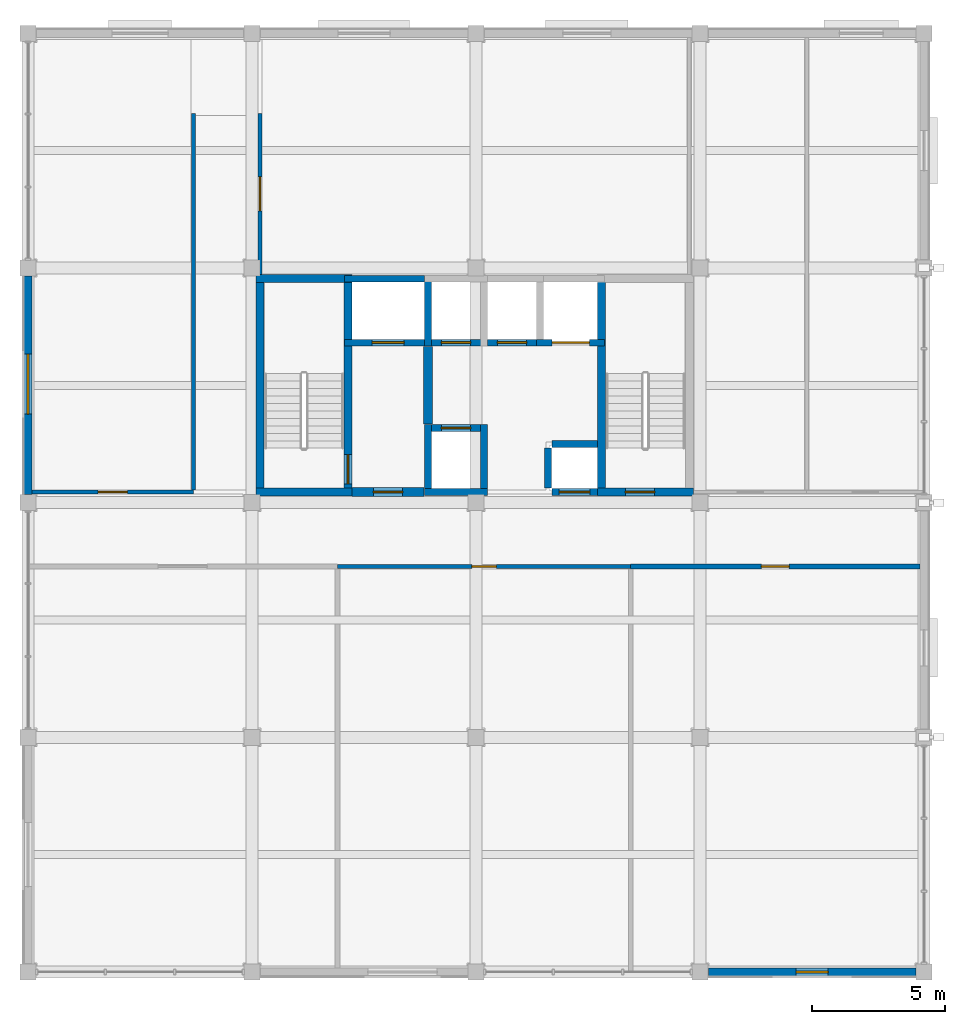
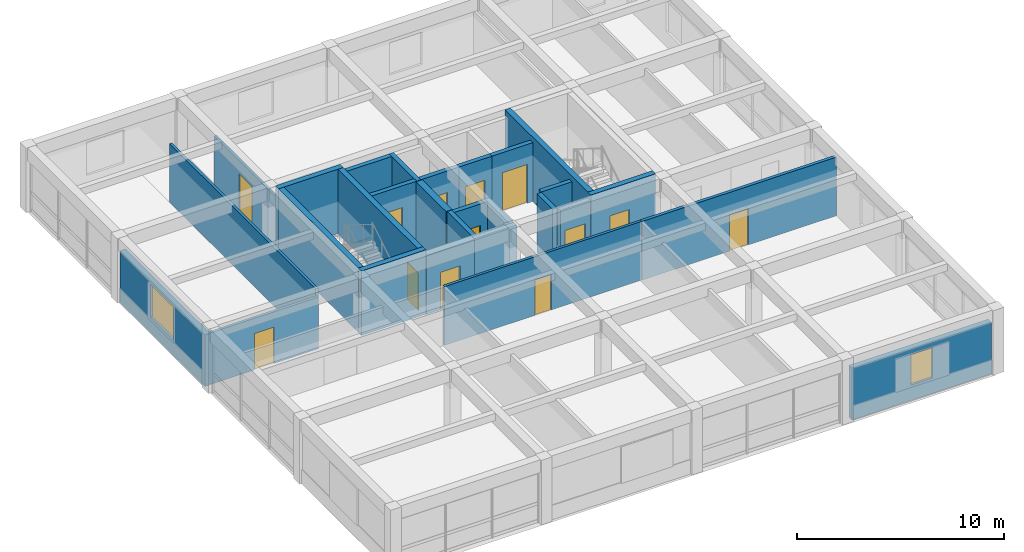
# One storey, part 7 of 12: 28 walls, 13 doors, 2 windows, 15 openings.
"""IFC4 building model written with IfcOpenShell, lengths in metres."""

from ifc_helpers import new_model, si_unit, direction, frame, frame_2d, origin, place, context, subcontext, project, spatial, rectangle, extrude, material, layer, layer_set, type_object, element, fill, save


model = new_model("IFC4")

# Units and contexts
model_context = context("Model", 3, precision=1e-05, world=origin(), true_north=direction((0.0, 1.0)))
body_context = subcontext(model_context, "Body", "Model", "MODEL_VIEW")
ifc_project = project(units=[si_unit("LENGTHUNIT", "METRE"), si_unit("AREAUNIT", "SQUARE_METRE"), si_unit("VOLUMEUNIT", "CUBIC_METRE"), si_unit("PLANEANGLEUNIT", "RADIAN"), si_unit("MASSUNIT", "GRAM", prefix="KILO")], contexts=[model_context])

# Site, building, storey
site_placement = place(None, origin())
site = spatial("IfcSite", under=ifc_project, at=site_placement, CompositionType="ELEMENT")
building_placement = place(site_placement, origin())
building = spatial("IfcBuilding", under=site, at=building_placement, Name="Kemercrest Conservatory and Botanical Centre", CompositionType="ELEMENT")
storey_placement = place(building_placement, frame((0.0, 0.0, 52.199951171875)))
storey = spatial("IfcBuildingStorey", under=building, at=storey_placement, Name="L13", CompositionType="ELEMENT", Elevation=52.199951171875)

# Wall
ifc_material_1 = material(Name="Concrete C50/60", Category="concrete")
ifc_layer_1 = layer(ifc_material_1, 0.35009765625)
ifc_layer_set_1 = layer_set([ifc_layer_1], Name="Concrete C50/60")
wall_type_1 = type_object("IfcWallType", Name="CW-CORE", PredefinedType="SHEAR", material=ifc_layer_set_1)
wall_1_placement = place(storey_placement, frame((157.39990234375, 107.75, 0.0), z_axis=(0.0, 0.0, 1.0), x_axis=(0.0, 1.0, 0.0)))
element("IfcWall", 1, at=wall_1_placement, inside=storey, type_object=wall_type_1, Name="Firefighting lift lobby 2-hour separation shear wall", PredefinedType="SHEAR", context=body_context, shape_type="SweptSolid", body=[
    extrude(rectangle(XDim=2.89990234375, YDim=0.35009765625, at=frame_2d((1.449951171875, 0.0))), origin(), (0.0, 0.0, 1.0), 3.47998046875),
])

# Wall, opening, door
wall_2_placement = place(storey_placement, frame((154.550048828125, 105.199951171875, 0.0), z_axis=(0.0, 0.0, 1.0), x_axis=(1.0, 0.0, 0.0)))
wall_2 = element("IfcWall", 2, at=wall_2_placement, inside=storey, type_object=wall_type_1, Name="Firefighting lift lobby south shear wall", PredefinedType="SHEAR", context=body_context, shape_type="SweptSolid", body=[
    extrude(rectangle(XDim=2.699951171875, YDim=0.35009765625, at=frame_2d((1.35009765625, 0.0))), origin(), (0.0, 0.0, 1.0), 3.47998046875),
])
opening_1_placement = place(wall_2_placement, frame((0.800048828125, 0.0, 0.0)))
opening_1 = element("IfcOpeningElement", 3, at=opening_1_placement, cuts=wall_2, Name="Opening D097", PredefinedType="OPENING", context=body_context, shape_type="SweptSolid", body=[
    extrude(rectangle(XDim=1.10009765625, YDim=2.199951171875, at=frame_2d((0.550048828125, 1.10009765625))), frame((0.0, 0.18505859375, 0.0), z_axis=(0.0, -1.0, 0.0), x_axis=(1.0, 0.0, 0.0)), (0.0, 0.0, 1.0), 0.3701171875),
])
ifc_material_2 = material(Name="Powder-coated galvanized steel and fire-rated vision glass", Category="steel")
door_type_1 = type_object("IfcDoorType", Name="DT-FD90", OperationType="NOTDEFINED", PredefinedType="DOOR", material=ifc_material_2)
door_1_placement = place(opening_1_placement, origin())
door_1 = element("IfcDoor", 4, at=door_1_placement, inside=storey, type_object=door_type_1, Name="Firefighting lift lobby corridor fire door D097", OperationType="SINGLE_SWING_LEFT", OverallHeight=2.199951171875, OverallWidth=1.10009765625, PredefinedType="DOOR", context=body_context, shape_type="SweptSolid", body=[
    extrude(rectangle(XDim=1.10009765625, YDim=2.199951171875, at=frame_2d((0.550048828125, 1.10009765625))), frame((0.0, 0.02490234375, 0.0), z_axis=(0.0, -1.0, 0.0), x_axis=(1.0, 0.0, 0.0)), (0.0, 0.0, 1.0), 0.050048828125),
])
fill(opening_1, door_1)

# Walls
ifc_layer_2 = layer(ifc_material_1, 0.300048828125)
ifc_layer_set_2 = layer_set([ifc_layer_2], Name="Concrete C50/60")
wall_type_2 = type_object("IfcWallType", Name="CW-STAIR", PredefinedType="SHEAR", material=ifc_layer_set_2)
for number, where, z_axis, x_axis, name in (
    (5, (150.949951171875, 105.199951171875, 0.0), (0.0, 0.0, 1.0), (1.0, 0.0, 0.0), "Stair core ST-V4A shear wall S"),
    (6, (150.949951171875, 113.199951171875, 0.0), (0.0, 0.0, 1.0), (1.0, 0.0, 0.0), "Stair core ST-V4A shear wall N"),
):
    element("IfcWall", number, at=place(storey_placement, frame(where, z_axis=z_axis, x_axis=x_axis)), inside=storey, type_object=wall_type_2, Name=name, PredefinedType="SHEAR", context=body_context, shape_type="SweptSolid", body=[
        extrude(rectangle(XDim=3.60009765625, YDim=0.300048828125, at=frame_2d((1.800048828125, 0.0))), origin(), (0.0, 0.0, 1.0), 3.800048828125),
    ])
wall_3_placement = place(storey_placement, frame((151.10009765625, 105.050048828125, 0.0), z_axis=(0.0, 0.0, 1.0), x_axis=(0.0, 1.0, 0.0)))
element("IfcWall", 7, at=wall_3_placement, inside=storey, type_object=wall_type_2, Name="Stair core ST-V4A shear wall W", PredefinedType="SHEAR", context=body_context, shape_type="SweptSolid", body=[
    extrude(rectangle(XDim=8.300048828125, YDim=0.300048828125, at=frame_2d((4.14990234375, 0.0))), origin(), (0.0, 0.0, 1.0), 3.800048828125),
])

# Wall, opening, door
wall_4_placement = place(storey_placement, frame((154.39990234375, 105.050048828125, 0.0), z_axis=(0.0, 0.0, 1.0), x_axis=(0.0, 1.0, 0.0)))
wall_4 = element("IfcWall", 8, at=wall_4_placement, inside=storey, type_object=wall_type_2, Name="Stair core ST-V4A shear wall E", PredefinedType="SHEAR", context=body_context, shape_type="SweptSolid", body=[
    extrude(rectangle(XDim=8.300048828125, YDim=0.300048828125, at=frame_2d((4.14990234375, 0.0))), origin(), (0.0, 0.0, 1.0), 3.800048828125),
])
opening_2_placement = place(wall_4_placement, frame((0.449951171875, 0.0, 0.0)))
opening_2 = element("IfcOpeningElement", 9, at=opening_2_placement, cuts=wall_4, Name="Opening D039", PredefinedType="OPENING", context=body_context, shape_type="SweptSolid", body=[
    extrude(rectangle(XDim=1.10009765625, YDim=2.199951171875, at=frame_2d((0.550048828125, 1.10009765625))), frame((0.0, 0.16015625, 0.0), z_axis=(0.0, -1.0, 0.0), x_axis=(1.0, 0.0, 0.0)), (0.0, 0.0, 1.0), 0.320068359375),
])
door_2_placement = place(opening_2_placement, frame((1.10009765625, 0.0, 0.0), z_axis=(0.0, 0.0, 1.0), x_axis=(-1.0, 0.0, 0.0)))
door_2 = element("IfcDoor", 10, at=door_2_placement, inside=storey, type_object=door_type_1, Name="Exit stair ST-V4A fire door D039", OperationType="SINGLE_SWING_LEFT", OverallHeight=2.199951171875, OverallWidth=1.10009765625, PredefinedType="DOOR", context=body_context, shape_type="SweptSolid", body=[
    extrude(rectangle(XDim=1.10009765625, YDim=2.199951171875, at=frame_2d((0.550048828125, 1.10009765625))), frame((0.0, 0.02490234375, 0.0), z_axis=(0.0, -1.0, 0.0), x_axis=(1.0, 0.0, 0.0)), (0.0, 0.0, 1.0), 0.050048828125),
])
fill(opening_2, door_2)

wall_5_placement = place(storey_placement, frame((163.75, 105.199951171875, 0.0), z_axis=(0.0, 0.0, 1.0), x_axis=(1.0, 0.0, 0.0)))
wall_5 = element("IfcWall", 11, at=wall_5_placement, inside=storey, type_object=wall_type_2, Name="Stair core ST-V4B shear wall S", PredefinedType="SHEAR", context=body_context, shape_type="SweptSolid", body=[
    extrude(rectangle(XDim=3.60009765625, YDim=0.300048828125, at=frame_2d((1.800048828125, 0.0))), origin(), (0.0, 0.0, 1.0), 3.800048828125),
])
opening_3_placement = place(wall_5_placement, frame((1.050048828125, 0.0, 0.0)))
opening_3 = element("IfcOpeningElement", 12, at=opening_3_placement, cuts=wall_5, Name="Opening D058", PredefinedType="OPENING", context=body_context, shape_type="SweptSolid", body=[
    extrude(rectangle(XDim=1.10009765625, YDim=2.199951171875, at=frame_2d((0.550048828125, 1.10009765625))), frame((0.0, 0.16015625, 0.0), z_axis=(0.0, -1.0, 0.0), x_axis=(1.0, 0.0, 0.0)), (0.0, 0.0, 1.0), 0.320068359375),
])
door_3_placement = place(opening_3_placement, origin())
door_3 = element("IfcDoor", 13, at=door_3_placement, inside=storey, type_object=door_type_1, Name="Exit stair ST-V4B fire door D058", OperationType="SINGLE_SWING_RIGHT", OverallHeight=2.199951171875, OverallWidth=1.10009765625, PredefinedType="DOOR", context=body_context, shape_type="SweptSolid", body=[
    extrude(rectangle(XDim=1.10009765625, YDim=2.199951171875, at=frame_2d((0.550048828125, 1.10009765625))), frame((0.0, 0.02490234375, 0.0), z_axis=(0.0, -1.0, 0.0), x_axis=(1.0, 0.0, 0.0)), (0.0, 0.0, 1.0), 0.050048828125),
])
fill(opening_3, door_3)

# Wall
wall_6_placement = place(storey_placement, frame((163.89990234375, 105.050048828125, 0.0), z_axis=(0.0, 0.0, 1.0), x_axis=(0.0, 1.0, 0.0)))
element("IfcWall", 14, at=wall_6_placement, inside=storey, type_object=wall_type_2, Name="Stair core ST-V4B shear wall W", PredefinedType="SHEAR", context=body_context, shape_type="SweptSolid", body=[
    extrude(rectangle(XDim=8.300048828125, YDim=0.300048828125, at=frame_2d((4.14990234375, 0.0))), origin(), (0.0, 0.0, 1.0), 3.800048828125),
])

# Wall, opening, window
ifc_material_3 = material(Name="Precast concrete C40/50", Category="concrete")
ifc_layer_3 = layer(ifc_material_3, 0.300048828125)
ifc_layer_set_3 = layer_set([ifc_layer_3], Name="Precast concrete C40/50")
wall_type_3 = type_object("IfcWallType", Name="W-EXT300", PredefinedType="SOLIDWALL", material=ifc_layer_set_3)
wall_7_placement = place(storey_placement, frame((167.909912109375, 87.199951171875, 0.0), z_axis=(0.0, 0.0, 1.0), x_axis=(1.0, 0.0, 0.0)))
wall_7 = element("IfcWall", 15, at=wall_7_placement, inside=storey, type_object=wall_type_3, Name="Exterior almasik wall W-EXT300 (WAL:L13:EXT-324)", PredefinedType="SOLIDWALL", context=body_context, shape_type="SweptSolid", body=[
    extrude(rectangle(XDim=7.780029296875, YDim=0.300048828125, at=frame_2d((3.89013671875, 0.0))), origin(), (0.0, 0.0, 1.0), 3.050048828125),
])
opening_4_placement = place(wall_7_placement, frame((3.2900390625, 0.0, 0.89990234375)))
opening_4 = element("IfcOpeningElement", 16, at=opening_4_placement, cuts=wall_7, Name="Opening WT-01", PredefinedType="OPENING", context=body_context, shape_type="SweptSolid", body=[
    extrude(rectangle(XDim=1.199951171875, YDim=1.800048828125, at=frame_2d((0.60009765625, 0.89990234375))), frame((0.0, 0.16015625, 0.0), z_axis=(0.0, -1.0, 0.0), x_axis=(1.0, 0.0, 0.0)), (0.0, 0.0, 1.0), 0.320068359375),
])
ifc_material_4 = material(Name="Thermally broken bronze-anodized aluminium and triple glazing", Category="aluminium")
window_type_1 = type_object("IfcWindowType", Name="WT-01", PartitioningType="SINGLE_PANEL", PredefinedType="WINDOW", material=ifc_material_4)
window_1_placement = place(opening_4_placement, origin())
window_1 = element("IfcWindow", 17, at=window_1_placement, inside=storey, type_object=window_type_1, Name="Exterior window WT-01 (WIN:L13:EXT-324)", OverallHeight=1.800048828125, OverallWidth=1.199951171875, PartitioningType="SINGLE_PANEL", PredefinedType="WINDOW", context=body_context, shape_type="SweptSolid", body=[
    extrude(rectangle(XDim=1.199951171875, YDim=1.800048828125, at=frame_2d((0.60009765625, 0.89990234375))), frame((0.0, 0.030029296875, 0.0), z_axis=(0.0, -1.0, 0.0), x_axis=(1.0, 0.0, 0.0)), (0.0, 0.0, 1.0), 0.06005859375),
])
fill(opening_4, window_1)

wall_8_placement = place(storey_placement, frame((142.39990234375, 113.2900390625, 0.0), z_axis=(0.0, 0.0, 1.0), x_axis=(0.0, -1.0, 0.0)))
wall_8 = element("IfcWall", 18, at=wall_8_placement, inside=storey, type_object=wall_type_3, Name="Exterior almasik wall W-EXT300 (WAL:L13:EXT-331)", PredefinedType="SOLIDWALL", context=body_context, shape_type="SweptSolid", body=[
    extrude(rectangle(XDim=8.179931640625, YDim=0.300048828125, at=frame_2d((4.08984375, 0.0))), origin(), (0.0, 0.0, 1.0), 3.050048828125),
])
opening_5_placement = place(wall_8_placement, frame((2.919921875, 0.0, 0.89990234375)))
opening_5 = element("IfcOpeningElement", 19, at=opening_5_placement, cuts=wall_8, Name="Opening WT-08", PredefinedType="OPENING", context=body_context, shape_type="SweptSolid", body=[
    extrude(rectangle(XDim=2.25, YDim=1.949951171875, at=frame_2d((1.125, 0.97509765625))), frame((0.0, 0.16015625, 0.0), z_axis=(0.0, -1.0, 0.0), x_axis=(1.0, 0.0, 0.0)), (0.0, 0.0, 1.0), 0.320068359375),
])
window_type_2 = type_object("IfcWindowType", Name="WT-08", PartitioningType="SINGLE_PANEL", PredefinedType="WINDOW", material=ifc_material_4)
window_2_placement = place(opening_5_placement, origin())
window_2 = element("IfcWindow", 20, at=window_2_placement, inside=storey, type_object=window_type_2, Name="Exterior window WT-08 (WIN:L13:EXT-331)", OverallHeight=1.949951171875, OverallWidth=2.25, PartitioningType="SINGLE_PANEL", PredefinedType="WINDOW", context=body_context, shape_type="SweptSolid", body=[
    extrude(rectangle(XDim=2.25, YDim=1.949951171875, at=frame_2d((1.125, 0.97509765625))), frame((0.0, 0.030029296875, 0.0), z_axis=(0.0, -1.0, 0.0), x_axis=(1.0, 0.0, 0.0)), (0.0, 0.0, 1.0), 0.06005859375),
])
fill(opening_5, window_2)

# Wall, opening, door
ifc_material_5 = material(Name="Steel-stud gypsum board partition", Category="steel")
ifc_layer_4 = layer(ifc_material_5, 0.14990234375)
ifc_layer_set_4 = layer_set([ifc_layer_4], Name="Steel-stud gypsum board partition")
wall_type_4 = type_object("IfcWallType", Name="W-PART150", PredefinedType="PARTITIONING", material=ifc_layer_set_4)
wall_9_placement = place(storey_placement, frame((154.0, 102.39990234375, 0.0), z_axis=(0.0, 0.0, 1.0), x_axis=(1.0, 0.0, 0.0)))
wall_9 = element("IfcWall", 21, at=wall_9_placement, inside=storey, type_object=wall_type_4, Name="Interior partition W-PART150 #279", PredefinedType="PARTITIONING", context=body_context, shape_type="SweptSolid", body=[
    extrude(rectangle(XDim=11.0, YDim=0.14990234375, at=frame_2d((5.5, 0.0))), origin(), (0.0, 0.0, 1.0), 3.465087890625),
])
opening_6_placement = place(wall_9_placement, frame((5.0400390625, 0.0, 0.0)))
opening_6 = element("IfcOpeningElement", 22, at=opening_6_placement, cuts=wall_9, Name="Opening D264", PredefinedType="OPENING", context=body_context, shape_type="SweptSolid", body=[
    extrude(rectangle(XDim=0.919921875, YDim=2.10009765625, at=frame_2d((0.4599609375, 1.050048828125))), frame((0.0, 0.0849609375, 0.0), z_axis=(0.0, -1.0, 0.0), x_axis=(1.0, 0.0, 0.0)), (0.0, 0.0, 1.0), 0.169921875),
])
ifc_material_6 = material(Name="FSC solid-core white oak veneer and anodized aluminium frame", Category="aluminium")
door_type_2 = type_object("IfcDoorType", Name="DT-01", OperationType="NOTDEFINED", PredefinedType="DOOR", material=ifc_material_6)
door_4_placement = place(opening_6_placement, origin())
door_4 = element("IfcDoor", 23, at=door_4_placement, inside=storey, type_object=door_type_2, Name="Alpine Ecology Studio door D264", OperationType="SINGLE_SWING_RIGHT", OverallHeight=2.10009765625, OverallWidth=0.919921875, PredefinedType="DOOR", context=body_context, shape_type="SweptSolid", body=[
    extrude(rectangle(XDim=0.919921875, YDim=2.10009765625, at=frame_2d((0.4599609375, 1.050048828125))), frame((0.0, 0.02490234375, 0.0), z_axis=(0.0, -1.0, 0.0), x_axis=(1.0, 0.0, 0.0)), (0.0, 0.0, 1.0), 0.050048828125),
])
fill(opening_6, door_4)

wall_10_placement = place(storey_placement, frame((142.554931640625, 105.199951171875, 0.0), z_axis=(0.0, 0.0, 1.0), x_axis=(1.0, 0.0, 0.0)))
wall_10 = element("IfcWall", 24, at=wall_10_placement, inside=storey, type_object=wall_type_4, Name="Interior partition W-PART150 #281", PredefinedType="PARTITIONING", context=body_context, shape_type="SweptSolid", body=[
    extrude(rectangle(XDim=6.045166015625, YDim=0.14990234375, at=frame_2d((3.0224609375, 0.0))), origin(), (0.0, 0.0, 1.0), 3.045166015625),
])
opening_7_placement = place(wall_10_placement, frame((2.472412109375, 0.0, 0.0)))
opening_7 = element("IfcOpeningElement", 25, at=opening_7_placement, cuts=wall_10, Name="Opening D266", PredefinedType="OPENING", context=body_context, shape_type="SweptSolid", body=[
    extrude(rectangle(XDim=1.10009765625, YDim=2.14990234375, at=frame_2d((0.550048828125, 1.074951171875))), frame((0.0, 0.0849609375, 0.0), z_axis=(0.0, -1.0, 0.0), x_axis=(1.0, 0.0, 0.0)), (0.0, 0.0, 1.0), 0.169921875),
])
door_type_3 = type_object("IfcDoorType", Name="DT-04", OperationType="NOTDEFINED", PredefinedType="DOOR", material=ifc_material_6)
door_5_placement = place(opening_7_placement, origin())
door_5 = element("IfcDoor", 26, at=door_5_placement, inside=storey, type_object=door_type_3, Name="Visiting Fellow Office door D266", OperationType="SINGLE_SWING_RIGHT", OverallHeight=2.14990234375, OverallWidth=1.10009765625, PredefinedType="DOOR", context=body_context, shape_type="SweptSolid", body=[
    extrude(rectangle(XDim=1.10009765625, YDim=2.14990234375, at=frame_2d((0.550048828125, 1.074951171875))), frame((0.0, 0.02490234375, 0.0), z_axis=(0.0, -1.0, 0.0), x_axis=(1.0, 0.0, 0.0)), (0.0, 0.0, 1.0), 0.050048828125),
])
fill(opening_7, door_5)

# Wall
wall_11_placement = place(storey_placement, frame((148.60009765625, 105.280029296875, 0.0), z_axis=(0.0, 0.0, 1.0), x_axis=(0.0, 1.0, 0.0)))
element("IfcWall", 27, at=wall_11_placement, inside=storey, type_object=wall_type_4, Name="Interior partition W-PART150 #284", PredefinedType="PARTITIONING", context=body_context, shape_type="SweptSolid", body=[
    extrude(rectangle(XDim=14.119873046875, YDim=0.14990234375, at=frame_2d((7.06005859375, 0.0))), origin(), (0.0, 0.0, 1.0), 3.465087890625),
])

# Wall, opening, door
wall_12_placement = place(storey_placement, frame((151.10009765625, 113.35498046875, 0.0), z_axis=(0.0, 0.0, 1.0), x_axis=(0.0, 1.0, 0.0)))
wall_12 = element("IfcWall", 28, at=wall_12_placement, inside=storey, type_object=wall_type_4, Name="Interior partition W-PART150 #285", PredefinedType="PARTITIONING", context=body_context, shape_type="SweptSolid", body=[
    extrude(rectangle(XDim=6.044921875, YDim=0.14990234375, at=frame_2d((3.0224609375, 0.0))), origin(), (0.0, 0.0, 1.0), 3.045166015625),
])
opening_8_placement = place(wall_12_placement, frame((2.382568359375, 0.0, 0.0)))
opening_8 = element("IfcOpeningElement", 29, at=opening_8_placement, cuts=wall_12, Name="Opening D269", PredefinedType="OPENING", context=body_context, shape_type="SweptSolid", body=[
    extrude(rectangle(XDim=1.280029296875, YDim=2.25, at=frame_2d((0.64013671875, 1.125))), frame((0.0, 0.0849609375, 0.0), z_axis=(0.0, -1.0, 0.0), x_axis=(1.0, 0.0, 0.0)), (0.0, 0.0, 1.0), 0.169921875),
])
door_type_4 = type_object("IfcDoorType", Name="DT-07", OperationType="NOTDEFINED", PredefinedType="DOOR", material=ifc_material_6)
door_6_placement = place(opening_8_placement, origin())
door_6 = element("IfcDoor", 30, at=door_6_placement, inside=storey, type_object=door_type_4, Name="Botanical Archive Reading Studio door D269", OperationType="SINGLE_SWING_LEFT", OverallHeight=2.25, OverallWidth=1.280029296875, PredefinedType="DOOR", context=body_context, shape_type="SweptSolid", body=[
    extrude(rectangle(XDim=1.280029296875, YDim=2.25, at=frame_2d((0.64013671875, 1.125))), frame((0.0, 0.02490234375, 0.0), z_axis=(0.0, -1.0, 0.0), x_axis=(1.0, 0.0, 0.0)), (0.0, 0.0, 1.0), 0.050048828125),
])
fill(opening_8, door_6)

ifc_material_7 = material(Name="Acoustic steel-stud gypsum board assembly", Category="steel")
ifc_layer_5 = layer(ifc_material_7, 0.179931640625)
ifc_layer_set_5 = layer_set([ifc_layer_5], Name="Acoustic steel-stud gypsum board assembly")
wall_type_5 = type_object("IfcWallType", Name="W-PART180", PredefinedType="PARTITIONING", material=ifc_layer_set_5)
wall_13_placement = place(storey_placement, frame((165.0, 102.39990234375, 0.0), z_axis=(0.0, 0.0, 1.0), x_axis=(1.0, 0.0, 0.0)))
wall_13 = element("IfcWall", 31, at=wall_13_placement, inside=storey, type_object=wall_type_5, Name="Interior partition W-PART180 #280", PredefinedType="PARTITIONING", context=body_context, shape_type="SweptSolid", body=[
    extrude(rectangle(XDim=10.844970703125, YDim=0.179931640625, at=frame_2d((5.42236328125, 0.0))), origin(), (0.0, 0.0, 1.0), 3.465087890625),
])
opening_9_placement = place(wall_13_placement, frame((4.902587890625, 0.0, 0.0)))
opening_9 = element("IfcOpeningElement", 32, at=opening_9_placement, cuts=wall_13, Name="Opening D265", PredefinedType="OPENING", context=body_context, shape_type="SweptSolid", body=[
    extrude(rectangle(XDim=1.0400390625, YDim=2.14990234375, at=frame_2d((0.52001953125, 1.074951171875))), frame((0.0, 0.10009765625, 0.0), z_axis=(0.0, -1.0, 0.0), x_axis=(1.0, 0.0, 0.0)), (0.0, 0.0, 1.0), 0.199951171875),
])
door_type_5 = type_object("IfcDoorType", Name="DT-03", OperationType="NOTDEFINED", PredefinedType="DOOR", material=ifc_material_6)
door_7_placement = place(opening_9_placement, origin())
door_7 = element("IfcDoor", 33, at=door_7_placement, inside=storey, type_object=door_type_5, Name="GIS Mapping Laboratory door D265", OperationType="SINGLE_SWING_LEFT", OverallHeight=2.14990234375, OverallWidth=1.0400390625, PredefinedType="DOOR", context=body_context, shape_type="SweptSolid", body=[
    extrude(rectangle(XDim=1.0400390625, YDim=2.14990234375, at=frame_2d((0.52001953125, 1.074951171875))), frame((0.0, 0.02490234375, 0.0), z_axis=(0.0, -1.0, 0.0), x_axis=(1.0, 0.0, 0.0)), (0.0, 0.0, 1.0), 0.050048828125),
])
fill(opening_9, door_7)

ifc_material_8 = material(Name="Concrete C40/50", Category="concrete")
ifc_layer_6 = layer(ifc_material_8, 0.25)
ifc_layer_set_6 = layer_set([ifc_layer_6], Name="Concrete C40/50")
wall_type_6 = type_object("IfcWallType", Name="W-SHFT250", PredefinedType="SOLIDWALL", material=ifc_layer_set_6)
wall_14_placement = place(storey_placement, frame((154.27490234375, 110.800048828125, 0.0), z_axis=(0.0, 0.0, 1.0), x_axis=(1.0, 0.0, 0.0)))
wall_14 = element("IfcWall", 34, at=wall_14_placement, inside=storey, type_object=wall_type_6, Name="Elevator LF-FF1 shaft wall south", PredefinedType="SOLIDWALL", context=body_context, shape_type="SweptSolid", body=[
    extrude(rectangle(XDim=3.25, YDim=0.25, at=frame_2d((1.625, 0.0))), origin(), (0.0, 0.0, 1.0), 3.47998046875),
])
opening_10_placement = place(wall_14_placement, frame((1.02490234375, 0.0, 0.0)))
opening_10 = element("IfcOpeningElement", 35, at=opening_10_placement, cuts=wall_14, Name="Opening LD-015", PredefinedType="OPENING", context=body_context, shape_type="SweptSolid", body=[
    extrude(rectangle(XDim=1.199951171875, YDim=2.199951171875, at=frame_2d((0.60009765625, 1.10009765625))), frame((0.0, 0.135009765625, 0.0), z_axis=(0.0, -1.0, 0.0), x_axis=(1.0, 0.0, 0.0)), (0.0, 0.0, 1.0), 0.27001953125),
])
door_type_6 = type_object("IfcDoorType", Name="DT-LD02", OperationType="SLIDING_TO_LEFT", PredefinedType="DOOR", material=ifc_material_2)
door_8_placement = place(opening_10_placement, origin())
door_8 = element("IfcDoor", 36, at=door_8_placement, inside=storey, type_object=door_type_6, Name="Elevator LF-FF1 sliding landing door LD-015", OperationType="SLIDING_TO_LEFT", OverallHeight=2.199951171875, OverallWidth=1.199951171875, PredefinedType="DOOR", context=body_context, shape_type="SweptSolid", body=[
    extrude(rectangle(XDim=1.199951171875, YDim=2.199951171875, at=frame_2d((0.60009765625, 1.10009765625))), frame((0.0, 0.02490234375, 0.0), z_axis=(0.0, -1.0, 0.0), x_axis=(1.0, 0.0, 0.0)), (0.0, 0.0, 1.0), 0.050048828125),
])
fill(opening_10, door_8)

# Walls
wall_15_placement = place(storey_placement, frame((154.27490234375, 113.199951171875, 0.0), z_axis=(0.0, 0.0, 1.0), x_axis=(1.0, 0.0, 0.0)))
element("IfcWall", 37, at=wall_15_placement, inside=storey, type_object=wall_type_6, Name="Elevator LF-FF1 shaft wall north", PredefinedType="SOLIDWALL", context=body_context, shape_type="SweptSolid", body=[
    extrude(rectangle(XDim=3.25, YDim=0.25, at=frame_2d((1.625, 0.0))), origin(), (0.0, 0.0, 1.0), 3.47998046875),
])
wall_16_placement = place(storey_placement, frame((157.39990234375, 110.675048828125, 0.0), z_axis=(0.0, 0.0, 1.0), x_axis=(0.0, 1.0, 0.0)))
element("IfcWall", 38, at=wall_16_placement, inside=storey, type_object=wall_type_6, Name="Elevator LF-FF1 shaft wall east", PredefinedType="SOLIDWALL", context=body_context, shape_type="SweptSolid", body=[
    extrude(rectangle(XDim=2.64990234375, YDim=0.25, at=frame_2d((1.324951171875, 0.0))), origin(), (0.0, 0.0, 1.0), 3.47998046875),
])

# Wall, opening, door
wall_17_placement = place(storey_placement, frame((157.27490234375, 110.800048828125, 0.0), z_axis=(0.0, 0.0, 1.0), x_axis=(1.0, 0.0, 0.0)))
wall_17 = element("IfcWall", 39, at=wall_17_placement, inside=storey, type_object=wall_type_6, Name="Elevator LF-P1 shaft wall south", PredefinedType="SOLIDWALL", context=body_context, shape_type="SweptSolid", body=[
    extrude(rectangle(XDim=2.35009765625, YDim=0.25, at=frame_2d((1.175048828125, 0.0))), origin(), (0.0, 0.0, 1.0), 3.47998046875),
])
opening_11_placement = place(wall_17_placement, frame((0.625, 0.0, 0.0)))
opening_11 = element("IfcOpeningElement", 40, at=opening_11_placement, cuts=wall_17, Name="Opening LD-034", PredefinedType="OPENING", context=body_context, shape_type="SweptSolid", body=[
    extrude(rectangle(XDim=1.10009765625, YDim=2.199951171875, at=frame_2d((0.550048828125, 1.10009765625))), frame((0.0, 0.135009765625, 0.0), z_axis=(0.0, -1.0, 0.0), x_axis=(1.0, 0.0, 0.0)), (0.0, 0.0, 1.0), 0.27001953125),
])
door_type_7 = type_object("IfcDoorType", Name="DT-LD01", OperationType="SLIDING_TO_LEFT", PredefinedType="DOOR", material=ifc_material_2)
door_9_placement = place(opening_11_placement, origin())
door_9 = element("IfcDoor", 41, at=door_9_placement, inside=storey, type_object=door_type_7, Name="Elevator LF-P1 sliding landing door LD-034", OperationType="SLIDING_TO_LEFT", OverallHeight=2.199951171875, OverallWidth=1.10009765625, PredefinedType="DOOR", context=body_context, shape_type="SweptSolid", body=[
    extrude(rectangle(XDim=1.10009765625, YDim=2.199951171875, at=frame_2d((0.550048828125, 1.10009765625))), frame((0.0, 0.02490234375, 0.0), z_axis=(0.0, -1.0, 0.0), x_axis=(1.0, 0.0, 0.0)), (0.0, 0.0, 1.0), 0.050048828125),
])
fill(opening_11, door_9)

wall_18_placement = place(storey_placement, frame((159.375, 110.800048828125, 0.0), z_axis=(0.0, 0.0, 1.0), x_axis=(1.0, 0.0, 0.0)))
wall_18 = element("IfcWall", 42, at=wall_18_placement, inside=storey, type_object=wall_type_6, Name="Elevator LF-P2 shaft wall south", PredefinedType="SOLIDWALL", context=body_context, shape_type="SweptSolid", body=[
    extrude(rectangle(XDim=2.35009765625, YDim=0.25, at=frame_2d((1.175048828125, 0.0))), origin(), (0.0, 0.0, 1.0), 3.47998046875),
])
opening_12_placement = place(wall_18_placement, frame((0.625, 0.0, 0.0)))
opening_12 = element("IfcOpeningElement", 43, at=opening_12_placement, cuts=wall_18, Name="Opening LD-053", PredefinedType="OPENING", context=body_context, shape_type="SweptSolid", body=[
    extrude(rectangle(XDim=1.10009765625, YDim=2.199951171875, at=frame_2d((0.550048828125, 1.10009765625))), frame((0.0, 0.135009765625, 0.0), z_axis=(0.0, -1.0, 0.0), x_axis=(1.0, 0.0, 0.0)), (0.0, 0.0, 1.0), 0.27001953125),
])
door_10_placement = place(opening_12_placement, origin())
door_10 = element("IfcDoor", 44, at=door_10_placement, inside=storey, type_object=door_type_7, Name="Elevator LF-P2 sliding landing door LD-053", OperationType="SLIDING_TO_LEFT", OverallHeight=2.199951171875, OverallWidth=1.10009765625, PredefinedType="DOOR", context=body_context, shape_type="SweptSolid", body=[
    extrude(rectangle(XDim=1.10009765625, YDim=2.199951171875, at=frame_2d((0.550048828125, 1.10009765625))), frame((0.0, 0.02490234375, 0.0), z_axis=(0.0, -1.0, 0.0), x_axis=(1.0, 0.0, 0.0)), (0.0, 0.0, 1.0), 0.050048828125),
])
fill(opening_12, door_10)

# Wall
wall_19_placement = place(storey_placement, frame((157.27490234375, 105.199951171875, 0.0), z_axis=(0.0, 0.0, 1.0), x_axis=(1.0, 0.0, 0.0)))
element("IfcWall", 45, at=wall_19_placement, inside=storey, type_object=wall_type_6, Name="Elevator LF-P3 shaft wall south", PredefinedType="SOLIDWALL", context=body_context, shape_type="SweptSolid", body=[
    extrude(rectangle(XDim=2.35009765625, YDim=0.25, at=frame_2d((1.175048828125, 0.0))), origin(), (0.0, 0.0, 1.0), 3.47998046875),
])

# Wall, opening, door
wall_20_placement = place(storey_placement, frame((157.27490234375, 107.60009765625, 0.0), z_axis=(0.0, 0.0, 1.0), x_axis=(1.0, 0.0, 0.0)))
wall_20 = element("IfcWall", 46, at=wall_20_placement, inside=storey, type_object=wall_type_6, Name="Elevator LF-P3 shaft wall north", PredefinedType="SOLIDWALL", context=body_context, shape_type="SweptSolid", body=[
    extrude(rectangle(XDim=2.35009765625, YDim=0.25, at=frame_2d((1.175048828125, 0.0))), origin(), (0.0, 0.0, 1.0), 3.47998046875),
])
opening_13_placement = place(wall_20_placement, frame((0.625, 0.0, 0.0)))
opening_13 = element("IfcOpeningElement", 47, at=opening_13_placement, cuts=wall_20, Name="Opening LD-071", PredefinedType="OPENING", context=body_context, shape_type="SweptSolid", body=[
    extrude(rectangle(XDim=1.10009765625, YDim=2.199951171875, at=frame_2d((0.550048828125, 1.10009765625))), frame((0.0, 0.135009765625, 0.0), z_axis=(0.0, -1.0, 0.0), x_axis=(1.0, 0.0, 0.0)), (0.0, 0.0, 1.0), 0.27001953125),
])
door_11_placement = place(opening_13_placement, origin())
door_11 = element("IfcDoor", 48, at=door_11_placement, inside=storey, type_object=door_type_7, Name="Elevator LF-P3 sliding landing door LD-071", OperationType="SLIDING_TO_LEFT", OverallHeight=2.199951171875, OverallWidth=1.10009765625, PredefinedType="DOOR", context=body_context, shape_type="SweptSolid", body=[
    extrude(rectangle(XDim=1.10009765625, YDim=2.199951171875, at=frame_2d((0.550048828125, 1.10009765625))), frame((0.0, 0.02490234375, 0.0), z_axis=(0.0, -1.0, 0.0), x_axis=(1.0, 0.0, 0.0)), (0.0, 0.0, 1.0), 0.050048828125),
])
fill(opening_13, door_11)

# Walls
for number, where, z_axis, x_axis, name in (
    (49, (157.39990234375, 105.074951171875, 0.0), (0.0, 0.0, 1.0), (0.0, 1.0, 0.0), "Elevator LF-P3 shaft wall west"),
    (50, (159.5, 105.074951171875, 0.0), (0.0, 0.0, 1.0), (0.0, 1.0, 0.0), "Elevator LF-P3 shaft wall east"),
):
    element("IfcWall", number, at=place(storey_placement, frame(where, z_axis=z_axis, x_axis=x_axis)), inside=storey, type_object=wall_type_6, Name=name, PredefinedType="SOLIDWALL", context=body_context, shape_type="SweptSolid", body=[
        extrude(rectangle(XDim=2.650146484375, YDim=0.25, at=frame_2d((1.3251953125, 0.0))), origin(), (0.0, 0.0, 1.0), 3.47998046875),
    ])

# Wall, opening, door
wall_21_placement = place(storey_placement, frame((161.47509765625, 110.800048828125, 0.0), z_axis=(0.0, 0.0, 1.0), x_axis=(1.0, 0.0, 0.0)))
wall_21 = element("IfcWall", 51, at=wall_21_placement, inside=storey, type_object=wall_type_6, Name="Elevator LF-G1 shaft wall south", PredefinedType="SOLIDWALL", context=body_context, shape_type="SweptSolid", body=[
    extrude(rectangle(XDim=2.5498046875, YDim=0.25, at=frame_2d((1.27490234375, 0.0))), origin(), (0.0, 0.0, 1.0), 3.47998046875),
])
opening_14_placement = place(wall_21_placement, frame((0.574951171875, 0.0, 0.0)))
opening_14 = element("IfcOpeningElement", 52, at=opening_14_placement, cuts=wall_21, Name="Opening LD-089", PredefinedType="OPENING", context=body_context, shape_type="SweptSolid", body=[
    extrude(rectangle(XDim=1.39990234375, YDim=2.300048828125, at=frame_2d((0.699951171875, 1.14990234375))), frame((0.0, 0.135009765625, 0.0), z_axis=(0.0, -1.0, 0.0), x_axis=(1.0, 0.0, 0.0)), (0.0, 0.0, 1.0), 0.27001953125),
])
door_type_8 = type_object("IfcDoorType", Name="DT-LD03", OperationType="SLIDING_TO_LEFT", PredefinedType="DOOR", material=ifc_material_2)
door_12_placement = place(opening_14_placement, origin())
door_12 = element("IfcDoor", 53, at=door_12_placement, inside=storey, type_object=door_type_8, Name="Elevator LF-G1 sliding landing door LD-089", OperationType="SLIDING_TO_LEFT", OverallHeight=2.300048828125, OverallWidth=1.39990234375, PredefinedType="DOOR", context=body_context, shape_type="SweptSolid", body=[
    extrude(rectangle(XDim=1.39990234375, YDim=2.300048828125, at=frame_2d((0.699951171875, 1.14990234375))), frame((0.0, 0.02490234375, 0.0), z_axis=(0.0, -1.0, 0.0), x_axis=(1.0, 0.0, 0.0)), (0.0, 0.0, 1.0), 0.050048828125),
])
fill(opening_14, door_12)

# Walls
wall_22_placement = place(storey_placement, frame((161.89990234375, 105.35009765625, 0.0), z_axis=(0.0, 0.0, 1.0), x_axis=(0.0, 1.0, 0.0)))
element("IfcWall", 54, at=wall_22_placement, inside=storey, type_object=wall_type_6, Name="Core service riser shaft wall W", PredefinedType="SOLIDWALL", context=body_context, shape_type="SweptSolid", body=[
    extrude(rectangle(XDim=1.5, YDim=0.25, at=frame_2d((0.75, 0.0))), origin(), (0.0, 0.0, 1.0), 3.47998046875),
])
wall_23_placement = place(storey_placement, frame((162.050048828125, 107.0, 0.0), z_axis=(0.0, 0.0, 1.0), x_axis=(1.0, 0.0, 0.0)))
element("IfcWall", 55, at=wall_23_placement, inside=storey, type_object=wall_type_6, Name="Core service riser shaft wall N", PredefinedType="SOLIDWALL", context=body_context, shape_type="SweptSolid", body=[
    extrude(rectangle(XDim=1.699951171875, YDim=0.25, at=frame_2d((0.85009765625, 0.0))), origin(), (0.0, 0.0, 1.0), 3.47998046875),
])

# Wall, opening, door
wall_24_placement = place(storey_placement, frame((162.050048828125, 105.199951171875, 0.0), z_axis=(0.0, 0.0, 1.0), x_axis=(1.0, 0.0, 0.0)))
wall_24 = element("IfcWall", 56, at=wall_24_placement, inside=storey, type_object=wall_type_6, Name="Core service riser shaft wall S", PredefinedType="SOLIDWALL", context=body_context, shape_type="SweptSolid", body=[
    extrude(rectangle(XDim=1.699951171875, YDim=0.25, at=frame_2d((0.85009765625, 0.0))), origin(), (0.0, 0.0, 1.0), 3.47998046875),
])
opening_15_placement = place(wall_24_placement, frame((0.27001953125, 0.0, 0.0)))
opening_15 = element("IfcOpeningElement", 57, at=opening_15_placement, cuts=wall_24, Name="Opening D098", PredefinedType="OPENING", context=body_context, shape_type="SweptSolid", body=[
    extrude(rectangle(XDim=1.14990234375, YDim=2.199951171875, at=frame_2d((0.574951171875, 1.10009765625))), frame((0.0, 0.135009765625, 0.0), z_axis=(0.0, -1.0, 0.0), x_axis=(1.0, 0.0, 0.0)), (0.0, 0.0, 1.0), 0.27001953125),
])
door_type_9 = type_object("IfcDoorType", Name="DT-FD60", OperationType="NOTDEFINED", PredefinedType="DOOR", material=ifc_material_2)
door_13_placement = place(opening_15_placement, origin())
door_13 = element("IfcDoor", 58, at=door_13_placement, inside=storey, type_object=door_type_9, Name="Service riser access fire door D098", OperationType="SINGLE_SWING_RIGHT", OverallHeight=2.199951171875, OverallWidth=1.14990234375, PredefinedType="DOOR", context=body_context, shape_type="SweptSolid", body=[
    extrude(rectangle(XDim=1.14990234375, YDim=2.199951171875, at=frame_2d((0.574951171875, 1.10009765625))), frame((0.0, 0.02490234375, 0.0), z_axis=(0.0, -1.0, 0.0), x_axis=(1.0, 0.0, 0.0)), (0.0, 0.0, 1.0), 0.050048828125),
])
fill(opening_15, door_13)

save(model, "model.ifc")
